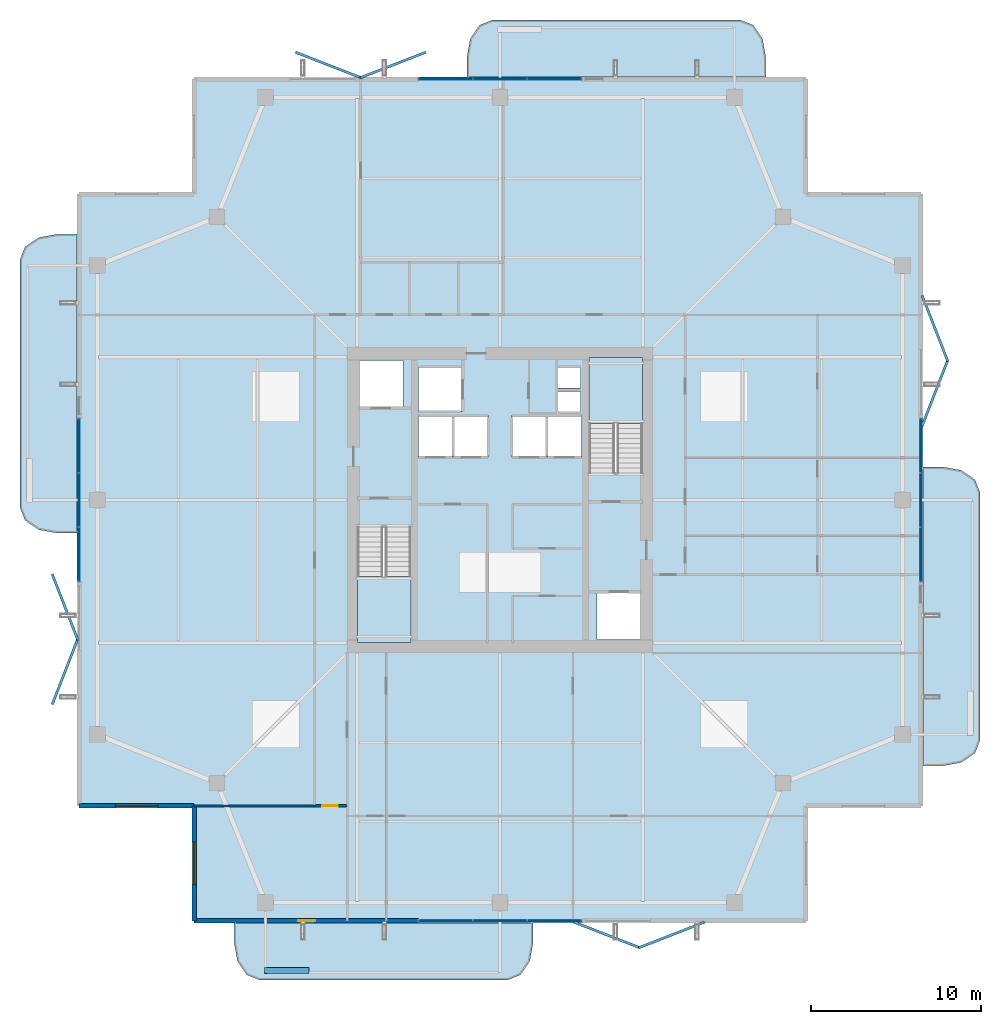
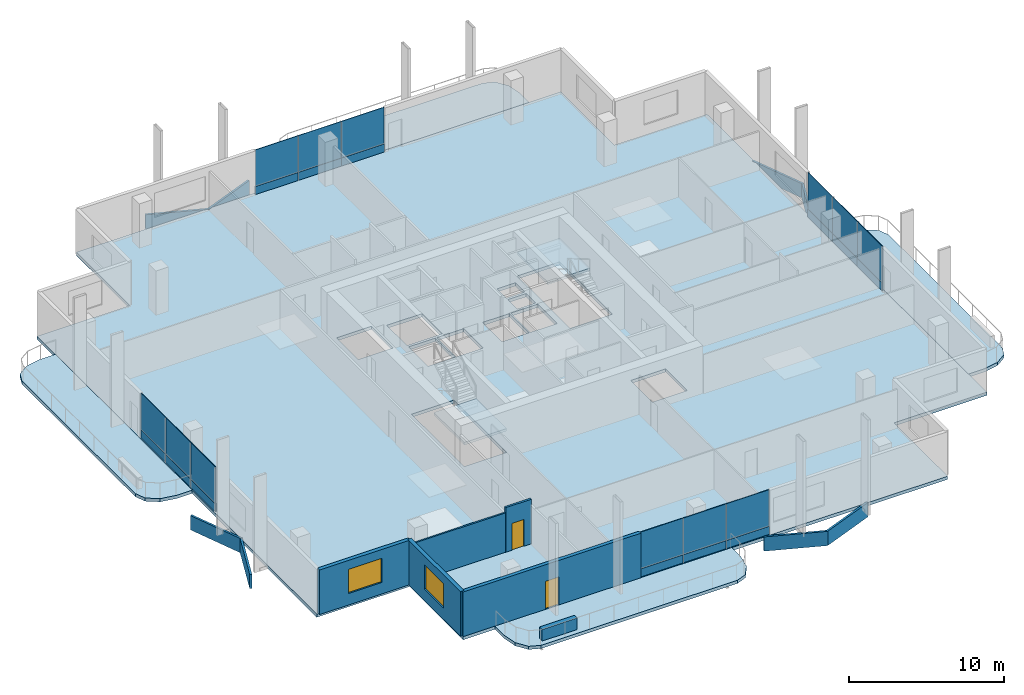
# One storey, part 17 of 25: 32 plates, 7 slabs, 6 walls, 2 doors, 2 windows, 4 openings, 6 elements without a shape of their own.
"""IFC4 building model written with IfcOpenShell, lengths in metres."""

from ifc_helpers import new_model, si_unit, direction, frame, frame_2d, origin, origin_2d, place, context, subcontext, project, spatial, polyline, rectangle, outline, extrude, material, layer, layer_set, type_object, element, fill, aggregate, save


model = new_model("IFC4")

# Units and contexts
model_context = context("Model", 3, precision=1e-05, world=origin(), true_north=direction((0.0, 1.0)))
body_context = subcontext(model_context, "Body", "Model", "MODEL_VIEW")
ifc_project = project(units=[si_unit("LENGTHUNIT", "METRE"), si_unit("AREAUNIT", "SQUARE_METRE"), si_unit("VOLUMEUNIT", "CUBIC_METRE"), si_unit("PLANEANGLEUNIT", "RADIAN"), si_unit("MASSUNIT", "GRAM", prefix="KILO")], contexts=[model_context])

# Site, building, storey
site_placement = place(None, origin())
site = spatial("IfcSite", under=ifc_project, at=site_placement, CompositionType="ELEMENT")
building_placement = place(site_placement, origin())
building = spatial("IfcBuilding", under=site, at=building_placement, Name="Belovzor Exchange Tower", CompositionType="ELEMENT")
storey_placement = place(building_placement, frame((0.0, 0.0, 265.35009765625)))
storey = spatial("IfcBuildingStorey", under=building, at=storey_placement, Name="L66", CompositionType="ELEMENT", Elevation=265.35009765625)

# Slab
ifc_material_1 = material(Name="Concrete C40/50", Category="concrete")
ifc_layer_1 = layer(ifc_material_1, 0.25)
ifc_layer_set_1 = layer_set([ifc_layer_1], Name="Concrete C40/50")
slab_type_1 = type_object("IfcSlabType", Name="Composite Concrete Floor Deck Slab 250", PredefinedType="FLOOR", material=ifc_layer_set_1)
slab_1_placement = place(storey_placement, frame((0.0, 0.0, -0.25)))
element("IfcSlab", 1, at=slab_1_placement, inside=storey, type_object=slab_type_1, Name="SL-F250 Structural Slab L66", PredefinedType="FLOOR", context=body_context, shape_type="SweptSolid", body=[
    extrude(outline(polyline([(10.800048828125, 3.89990234375), (46.800048828125, 3.89990234375), (46.800048828125, 10.800048828125), (53.699951171875, 10.800048828125), (53.699951171875, 46.800048828125), (46.800048828125, 46.800048828125), (46.800048828125, 53.699951171875), (10.800048828125, 53.699951171875), (10.800048828125, 46.800048828125), (3.89990234375, 46.800048828125), (3.89990234375, 10.800048828125), (10.800048828125, 10.800048828125), (10.800048828125, 3.89990234375)]), holes=[polyline([(20.39990234375, 27.175048828125), (20.39990234375, 20.39990234375), (23.550048828125, 20.39990234375), (23.550048828125, 27.175048828125), (20.39990234375, 27.175048828125)]), polyline([(37.199951171875, 30.425048828125), (37.199951171875, 37.199951171875), (34.050048828125, 37.199951171875), (34.050048828125, 30.425048828125), (37.199951171875, 30.425048828125)]), polyline([(20.5, 34.199951171875), (23.10009765625, 34.199951171875), (23.10009765625, 37.0), (20.5, 37.0), (20.5, 34.199951171875)]), polyline([(34.5, 20.60009765625), (37.10009765625, 20.60009765625), (37.10009765625, 23.39990234375), (34.5, 23.39990234375), (34.5, 20.60009765625)]), polyline([(24.0, 34.0), (26.60009765625, 34.0), (26.60009765625, 36.60009765625), (24.0, 36.60009765625), (24.0, 34.0)]), polyline([(24.0, 31.300048828125), (26.0, 31.300048828125), (26.0, 33.800048828125), (24.0, 33.800048828125), (24.0, 31.300048828125)]), polyline([(26.10009765625, 31.300048828125), (28.10009765625, 31.300048828125), (28.10009765625, 33.800048828125), (26.10009765625, 33.800048828125), (26.10009765625, 31.300048828125)]), polyline([(29.5, 31.300048828125), (31.5, 31.300048828125), (31.5, 33.800048828125), (29.5, 33.800048828125), (29.5, 31.300048828125)]), polyline([(31.60009765625, 31.300048828125), (33.60009765625, 31.300048828125), (33.60009765625, 33.800048828125), (31.60009765625, 33.800048828125), (31.60009765625, 31.300048828125)]), polyline([(32.199951171875, 34.0), (33.550048828125, 34.0), (33.550048828125, 35.199951171875), (32.199951171875, 35.199951171875), (32.199951171875, 34.0)]), polyline([(32.199951171875, 35.39990234375), (33.550048828125, 35.39990234375), (33.550048828125, 36.60009765625), (32.199951171875, 36.60009765625), (32.199951171875, 35.39990234375)])]), origin(), (0.0, 0.0, 1.0), 0.25),
])

# Curtain wall, plates
ifc_material_2 = material(Name="Anodised Aluminium Framing", Category="aluminium")
ifc_layer_2 = layer(ifc_material_2, 0.179931640625)
ifc_layer_set_2 = layer_set([ifc_layer_2], Name="Anodised Aluminium Framing")
curtain_wall_type = type_object("IfcCurtainWallType", Name="Recessed Loggia Low-Iron Triple-Glazed Curtain Wall", PredefinedType="NOTDEFINED", material=ifc_layer_set_2)
curtain_wall_1_placement = place(storey_placement, origin())
curtain_wall_1 = element("IfcCurtainWall", 2, at=curtain_wall_1_placement, inside=storey, type_object=curtain_wall_type, Name="CW3 Recessed Loggia Low-Iron Triple-Glazed Curtain Wall L66", PredefinedType="NOTDEFINED")
ifc_material_3 = material(Name="Solar-Control Triple Glazing", Category="glass")
ifc_layer_3 = layer(ifc_material_3, 0.0439453125)
ifc_layer_set_3 = layer_set([ifc_layer_3], Name="Solar-Control Triple Glazing")
plate_type_1 = type_object("IfcPlateType", Name="Insulated Solar Glazing Curtain Panel 44", PredefinedType="CURTAIN_PANEL", material=ifc_layer_set_3)
plate_1_placement = place(storey_placement, frame((32.0, 4.030029296875, 0.6318359375), z_axis=(0.0, 0.0, 1.0), x_axis=(-1.0, 0.0, 0.0)))
plate_1 = element("IfcPlate", 3, at=plate_1_placement, type_object=plate_type_1, Name="GLZ-44 Glazed Curtain Panel 1", PredefinedType="CURTAIN_PANEL", context=body_context, shape_type="SweptSolid", body=[
    extrude(rectangle(XDim=3.18408203125, YDim=0.0439453125, at=origin_2d()), origin(), (0.0, 0.0, 1.0), 2.867919921875),
])
plate_2_placement = place(storey_placement, frame((28.800048828125, 4.030029296875, 0.6318359375), z_axis=(0.0, 0.0, 1.0), x_axis=(-1.0, 0.0, 0.0)))
plate_2 = element("IfcPlate", 4, at=plate_2_placement, type_object=plate_type_1, Name="GLZ-44 Glazed Curtain Panel 2", PredefinedType="CURTAIN_PANEL", context=body_context, shape_type="SweptSolid", body=[
    extrude(rectangle(XDim=3.18408203125, YDim=0.0439453125, at=origin_2d()), origin(), (0.0, 0.0, 1.0), 2.867919921875),
])
plate_3_placement = place(storey_placement, frame((25.60009765625, 4.030029296875, 0.6318359375), z_axis=(0.0, 0.0, 1.0), x_axis=(-1.0, 0.0, 0.0)))
plate_3 = element("IfcPlate", 5, at=plate_3_placement, type_object=plate_type_1, Name="GLZ-44 Glazed Curtain Panel 3", PredefinedType="CURTAIN_PANEL", context=body_context, shape_type="SweptSolid", body=[
    extrude(rectangle(XDim=3.18408203125, YDim=0.0439453125, at=origin_2d()), origin(), (0.0, 0.0, 1.0), 2.867919921875),
])

curtain_wall_2_placement = place(storey_placement, origin())
curtain_wall_2 = element("IfcCurtainWall", 6, at=curtain_wall_2_placement, inside=storey, type_object=curtain_wall_type, Name="CW3 Recessed Loggia Low-Iron Triple-Glazed Curtain Wall L66", PredefinedType="NOTDEFINED")
plate_4_placement = place(storey_placement, frame((25.60009765625, 53.570068359375, 0.6318359375), z_axis=(0.0, 0.0, 1.0), x_axis=(1.0, 0.0, 0.0)))
plate_4 = element("IfcPlate", 7, at=plate_4_placement, type_object=plate_type_1, Name="GLZ-44 Glazed Curtain Panel 1", PredefinedType="CURTAIN_PANEL", context=body_context, shape_type="SweptSolid", body=[
    extrude(rectangle(XDim=3.18408203125, YDim=0.0439453125, at=origin_2d()), origin(), (0.0, 0.0, 1.0), 2.867919921875),
])
plate_5_placement = place(storey_placement, frame((28.800048828125, 53.570068359375, 0.6318359375), z_axis=(0.0, 0.0, 1.0), x_axis=(1.0, 0.0, 0.0)))
plate_5 = element("IfcPlate", 8, at=plate_5_placement, type_object=plate_type_1, Name="GLZ-44 Glazed Curtain Panel 2", PredefinedType="CURTAIN_PANEL", context=body_context, shape_type="SweptSolid", body=[
    extrude(rectangle(XDim=3.18408203125, YDim=0.0439453125, at=origin_2d()), origin(), (0.0, 0.0, 1.0), 2.867919921875),
])
plate_6_placement = place(storey_placement, frame((32.0, 53.570068359375, 0.6318359375), z_axis=(0.0, 0.0, 1.0), x_axis=(1.0, 0.0, 0.0)))
plate_6 = element("IfcPlate", 9, at=plate_6_placement, type_object=plate_type_1, Name="GLZ-44 Glazed Curtain Panel 3", PredefinedType="CURTAIN_PANEL", context=body_context, shape_type="SweptSolid", body=[
    extrude(rectangle(XDim=3.18408203125, YDim=0.0439453125, at=origin_2d()), origin(), (0.0, 0.0, 1.0), 2.867919921875),
])

curtain_wall_3_placement = place(storey_placement, origin())
curtain_wall_3 = element("IfcCurtainWall", 10, at=curtain_wall_3_placement, inside=storey, type_object=curtain_wall_type, Name="CW3 Recessed Loggia Low-Iron Triple-Glazed Curtain Wall L66", PredefinedType="NOTDEFINED")
plate_7_placement = place(storey_placement, frame((4.030029296875, 25.60009765625, 0.6318359375), z_axis=(0.0, 0.0, 1.0), x_axis=(0.0, 1.0, 0.0)))
plate_7 = element("IfcPlate", 11, at=plate_7_placement, type_object=plate_type_1, Name="GLZ-44 Glazed Curtain Panel 1", PredefinedType="CURTAIN_PANEL", context=body_context, shape_type="SweptSolid", body=[
    extrude(rectangle(XDim=3.18408203125, YDim=0.0439453125, at=origin_2d()), origin(), (0.0, 0.0, 1.0), 2.867919921875),
])
plate_8_placement = place(storey_placement, frame((4.030029296875, 28.800048828125, 0.6318359375), z_axis=(0.0, 0.0, 1.0), x_axis=(0.0, 1.0, 0.0)))
plate_8 = element("IfcPlate", 12, at=plate_8_placement, type_object=plate_type_1, Name="GLZ-44 Glazed Curtain Panel 2", PredefinedType="CURTAIN_PANEL", context=body_context, shape_type="SweptSolid", body=[
    extrude(rectangle(XDim=3.18408203125, YDim=0.0439453125, at=origin_2d()), origin(), (0.0, 0.0, 1.0), 2.867919921875),
])
plate_9_placement = place(storey_placement, frame((4.030029296875, 32.0, 0.6318359375), z_axis=(0.0, 0.0, 1.0), x_axis=(0.0, 1.0, 0.0)))
plate_9 = element("IfcPlate", 13, at=plate_9_placement, type_object=plate_type_1, Name="GLZ-44 Glazed Curtain Panel 3", PredefinedType="CURTAIN_PANEL", context=body_context, shape_type="SweptSolid", body=[
    extrude(rectangle(XDim=3.18408203125, YDim=0.0439453125, at=origin_2d()), origin(), (0.0, 0.0, 1.0), 2.867919921875),
])

curtain_wall_4_placement = place(storey_placement, origin())
curtain_wall_4 = element("IfcCurtainWall", 14, at=curtain_wall_4_placement, inside=storey, type_object=curtain_wall_type, Name="CW3 Recessed Loggia Low-Iron Triple-Glazed Curtain Wall L66", PredefinedType="NOTDEFINED")
plate_10_placement = place(storey_placement, frame((53.570068359375, 32.0, 0.6318359375), z_axis=(0.0, 0.0, 1.0), x_axis=(0.0, -1.0, 0.0)))
plate_10 = element("IfcPlate", 15, at=plate_10_placement, type_object=plate_type_1, Name="GLZ-44 Glazed Curtain Panel 1", PredefinedType="CURTAIN_PANEL", context=body_context, shape_type="SweptSolid", body=[
    extrude(rectangle(XDim=3.18408203125, YDim=0.0439453125, at=origin_2d()), origin(), (0.0, 0.0, 1.0), 2.867919921875),
])
plate_11_placement = place(storey_placement, frame((53.570068359375, 28.800048828125, 0.6318359375), z_axis=(0.0, 0.0, 1.0), x_axis=(0.0, -1.0, 0.0)))
plate_11 = element("IfcPlate", 16, at=plate_11_placement, type_object=plate_type_1, Name="GLZ-44 Glazed Curtain Panel 2", PredefinedType="CURTAIN_PANEL", context=body_context, shape_type="SweptSolid", body=[
    extrude(rectangle(XDim=3.18408203125, YDim=0.0439453125, at=origin_2d()), origin(), (0.0, 0.0, 1.0), 2.867919921875),
])
plate_12_placement = place(storey_placement, frame((53.570068359375, 25.60009765625, 0.6318359375), z_axis=(0.0, 0.0, 1.0), x_axis=(0.0, -1.0, 0.0)))
plate_12 = element("IfcPlate", 17, at=plate_12_placement, type_object=plate_type_1, Name="GLZ-44 Glazed Curtain Panel 3", PredefinedType="CURTAIN_PANEL", context=body_context, shape_type="SweptSolid", body=[
    extrude(rectangle(XDim=3.18408203125, YDim=0.0439453125, at=origin_2d()), origin(), (0.0, 0.0, 1.0), 2.867919921875),
])

# Stair, slab
ifc_material_4 = material(Name="Concrete C40/50", Category="concrete")
stair_type = type_object("IfcStairType", Name="Reinforced Concrete Dogleg Escape Stair 1350", PredefinedType="HALF_TURN_STAIR", material=ifc_material_4)
stair_1_placement = place(storey_placement, origin())
stair_1 = element("IfcStair", 18, at=stair_1_placement, inside=storey, type_object=stair_type, Name="L66 ST-1", PredefinedType="HALF_TURN_STAIR")
ifc_material_5 = material(Name="Concrete C40/50", Category="concrete")
ifc_layer_4 = layer(ifc_material_5, 0.199951171875)
ifc_layer_set_4 = layer_set([ifc_layer_4], Name="Concrete C40/50")
slab_type_2 = type_object("IfcSlabType", Name="Reinforced Concrete Stair Half-Landing Slab 200", PredefinedType="LANDING", material=ifc_layer_set_4)
slab_2_placement = place(storey_placement, frame((0.0, 0.0, 1.6748046875)))
slab_2 = element("IfcSlab", 19, at=slab_2_placement, type_object=slab_type_2, Name="ST-1 landing 1", PredefinedType="LANDING", context=body_context, shape_type="SweptSolid", body=[
    extrude(outline(polyline([(20.39990234375, 24.300048828125), (20.39990234375, 20.39990234375), (23.550048828125, 20.39990234375), (23.550048828125, 24.300048828125), (20.39990234375, 24.300048828125)])), origin(), (0.0, 0.0, 1.0), 0.2001953125),
])
aggregate(stair_1, [slab_2])

stair_2_placement = place(storey_placement, origin())
stair_2 = element("IfcStair", 20, at=stair_2_placement, inside=storey, type_object=stair_type, Name="L66 ST-2", PredefinedType="HALF_TURN_STAIR")
slab_3_placement = place(storey_placement, frame((0.0, 0.0, 1.6748046875)))
slab_3 = element("IfcSlab", 21, at=slab_3_placement, type_object=slab_type_2, Name="ST-2 landing 1", PredefinedType="LANDING", context=body_context, shape_type="SweptSolid", body=[
    extrude(outline(polyline([(37.199951171875, 33.300048828125), (37.199951171875, 37.199951171875), (34.050048828125, 37.199951171875), (34.050048828125, 33.300048828125), (37.199951171875, 33.300048828125)])), origin(), (0.0, 0.0, 1.0), 0.2001953125),
])
aggregate(stair_2, [slab_3])

# Plate
ifc_material_6 = material(Name="Extruded Architectural Terracotta", Category="masonry")
ifc_layer_5 = layer(ifc_material_6, 0.090087890625)
ifc_layer_set_5 = layer_set([ifc_layer_5], Name="Extruded Architectural Terracotta")
plate_type_2 = type_object("IfcPlateType", Name="Terracotta Shadow-Box Spandrel Panel 90", PredefinedType="CURTAIN_PANEL", material=ifc_layer_set_5)
plate_13_placement = place(storey_placement, frame((32.0, 4.030029296875, 0.0), z_axis=(0.0, 0.0, 1.0), x_axis=(-1.0, 0.0, 0.0)))
plate_13 = element("IfcPlate", 22, at=plate_13_placement, type_object=plate_type_2, Name="SPD-90 Spandrel Panel 1", PredefinedType="CURTAIN_PANEL", context=body_context, shape_type="SweptSolid", body=[
    extrude(rectangle(XDim=3.18408203125, YDim=0.090087890625, at=origin_2d()), origin(), (0.0, 0.0, 1.0), 0.6279296875),
])

plate_14_placement = place(storey_placement, frame((28.800048828125, 4.030029296875, 0.0), z_axis=(0.0, 0.0, 1.0), x_axis=(-1.0, 0.0, 0.0)))
plate_14 = element("IfcPlate", 23, at=plate_14_placement, type_object=plate_type_2, Name="SPD-90 Spandrel Panel 2", PredefinedType="CURTAIN_PANEL", context=body_context, shape_type="SweptSolid", body=[
    extrude(rectangle(XDim=3.18408203125, YDim=0.090087890625, at=origin_2d()), origin(), (0.0, 0.0, 1.0), 0.6279296875),
])

plate_15_placement = place(storey_placement, frame((25.60009765625, 4.030029296875, 0.0), z_axis=(0.0, 0.0, 1.0), x_axis=(-1.0, 0.0, 0.0)))
plate_15 = element("IfcPlate", 24, at=plate_15_placement, type_object=plate_type_2, Name="SPD-90 Spandrel Panel 3", PredefinedType="CURTAIN_PANEL", context=body_context, shape_type="SweptSolid", body=[
    extrude(rectangle(XDim=3.18408203125, YDim=0.090087890625, at=origin_2d()), origin(), (0.0, 0.0, 1.0), 0.6279296875),
])

aggregate(curtain_wall_1, [plate_13, plate_1, plate_14, plate_2, plate_15, plate_3])

plate_16_placement = place(storey_placement, frame((25.60009765625, 53.570068359375, 0.0), z_axis=(0.0, 0.0, 1.0), x_axis=(1.0, 0.0, 0.0)))
plate_16 = element("IfcPlate", 25, at=plate_16_placement, type_object=plate_type_2, Name="SPD-90 Spandrel Panel 1", PredefinedType="CURTAIN_PANEL", context=body_context, shape_type="SweptSolid", body=[
    extrude(rectangle(XDim=3.18408203125, YDim=0.090087890625, at=origin_2d()), origin(), (0.0, 0.0, 1.0), 0.6279296875),
])

plate_17_placement = place(storey_placement, frame((28.800048828125, 53.570068359375, 0.0), z_axis=(0.0, 0.0, 1.0), x_axis=(1.0, 0.0, 0.0)))
plate_17 = element("IfcPlate", 26, at=plate_17_placement, type_object=plate_type_2, Name="SPD-90 Spandrel Panel 2", PredefinedType="CURTAIN_PANEL", context=body_context, shape_type="SweptSolid", body=[
    extrude(rectangle(XDim=3.18408203125, YDim=0.090087890625, at=origin_2d()), origin(), (0.0, 0.0, 1.0), 0.6279296875),
])

plate_18_placement = place(storey_placement, frame((32.0, 53.570068359375, 0.0), z_axis=(0.0, 0.0, 1.0), x_axis=(1.0, 0.0, 0.0)))
plate_18 = element("IfcPlate", 27, at=plate_18_placement, type_object=plate_type_2, Name="SPD-90 Spandrel Panel 3", PredefinedType="CURTAIN_PANEL", context=body_context, shape_type="SweptSolid", body=[
    extrude(rectangle(XDim=3.18408203125, YDim=0.090087890625, at=origin_2d()), origin(), (0.0, 0.0, 1.0), 0.6279296875),
])

aggregate(curtain_wall_2, [plate_16, plate_4, plate_17, plate_5, plate_18, plate_6])

plate_19_placement = place(storey_placement, frame((4.030029296875, 25.60009765625, 0.0), z_axis=(0.0, 0.0, 1.0), x_axis=(0.0, 1.0, 0.0)))
plate_19 = element("IfcPlate", 28, at=plate_19_placement, type_object=plate_type_2, Name="SPD-90 Spandrel Panel 1", PredefinedType="CURTAIN_PANEL", context=body_context, shape_type="SweptSolid", body=[
    extrude(rectangle(XDim=3.18408203125, YDim=0.090087890625, at=origin_2d()), origin(), (0.0, 0.0, 1.0), 0.6279296875),
])

plate_20_placement = place(storey_placement, frame((4.030029296875, 28.800048828125, 0.0), z_axis=(0.0, 0.0, 1.0), x_axis=(0.0, 1.0, 0.0)))
plate_20 = element("IfcPlate", 29, at=plate_20_placement, type_object=plate_type_2, Name="SPD-90 Spandrel Panel 2", PredefinedType="CURTAIN_PANEL", context=body_context, shape_type="SweptSolid", body=[
    extrude(rectangle(XDim=3.18408203125, YDim=0.090087890625, at=origin_2d()), origin(), (0.0, 0.0, 1.0), 0.6279296875),
])

plate_21_placement = place(storey_placement, frame((4.030029296875, 32.0, 0.0), z_axis=(0.0, 0.0, 1.0), x_axis=(0.0, 1.0, 0.0)))
plate_21 = element("IfcPlate", 30, at=plate_21_placement, type_object=plate_type_2, Name="SPD-90 Spandrel Panel 3", PredefinedType="CURTAIN_PANEL", context=body_context, shape_type="SweptSolid", body=[
    extrude(rectangle(XDim=3.18408203125, YDim=0.090087890625, at=origin_2d()), origin(), (0.0, 0.0, 1.0), 0.6279296875),
])

aggregate(curtain_wall_3, [plate_19, plate_7, plate_20, plate_8, plate_21, plate_9])

plate_22_placement = place(storey_placement, frame((53.570068359375, 32.0, 0.0), z_axis=(0.0, 0.0, 1.0), x_axis=(0.0, -1.0, 0.0)))
plate_22 = element("IfcPlate", 31, at=plate_22_placement, type_object=plate_type_2, Name="SPD-90 Spandrel Panel 1", PredefinedType="CURTAIN_PANEL", context=body_context, shape_type="SweptSolid", body=[
    extrude(rectangle(XDim=3.18408203125, YDim=0.090087890625, at=origin_2d()), origin(), (0.0, 0.0, 1.0), 0.6279296875),
])

plate_23_placement = place(storey_placement, frame((53.570068359375, 28.800048828125, 0.0), z_axis=(0.0, 0.0, 1.0), x_axis=(0.0, -1.0, 0.0)))
plate_23 = element("IfcPlate", 32, at=plate_23_placement, type_object=plate_type_2, Name="SPD-90 Spandrel Panel 2", PredefinedType="CURTAIN_PANEL", context=body_context, shape_type="SweptSolid", body=[
    extrude(rectangle(XDim=3.18408203125, YDim=0.090087890625, at=origin_2d()), origin(), (0.0, 0.0, 1.0), 0.6279296875),
])

plate_24_placement = place(storey_placement, frame((53.570068359375, 25.60009765625, 0.0), z_axis=(0.0, 0.0, 1.0), x_axis=(0.0, -1.0, 0.0)))
plate_24 = element("IfcPlate", 33, at=plate_24_placement, type_object=plate_type_2, Name="SPD-90 Spandrel Panel 3", PredefinedType="CURTAIN_PANEL", context=body_context, shape_type="SweptSolid", body=[
    extrude(rectangle(XDim=3.18408203125, YDim=0.090087890625, at=origin_2d()), origin(), (0.0, 0.0, 1.0), 0.6279296875),
])

aggregate(curtain_wall_4, [plate_22, plate_10, plate_23, plate_11, plate_24, plate_12])

# Slabs
ifc_material_7 = material(Name="Concrete C40/50", Category="concrete")
ifc_layer_6 = layer(ifc_material_7, 0.25)
ifc_layer_set_6 = layer_set([ifc_layer_6], Name="Concrete C40/50")
slab_type_3 = type_object("IfcSlabType", Name="Thermally Broken Planted Balcony Slab 250", PredefinedType="FLOOR", material=ifc_layer_set_6)
slab_4_placement = place(storey_placement, frame((0.0, 0.0, -0.25)))
element("IfcSlab", 34, at=slab_4_placement, inside=storey, type_object=slab_type_3, Name="SL-BAL220 Planted Balcony Loggia L66 South", PredefinedType="FLOOR", context=body_context, shape_type="SweptSolid", body=[
    extrude(outline(polyline([(13.14990234375, 3.9150390625), (13.14990234375, 2.75), (13.35107421875, 1.64990234375), (13.89990234375, 0.844970703125), (14.64990234375, 0.550048828125), (29.25, 0.550048828125), (30.0, 0.844970703125), (30.549072265625, 1.64990234375), (30.75, 2.75), (30.75, 3.9150390625), (13.14990234375, 3.9150390625)])), origin(), (0.0, 0.0, 1.0), 0.25),
])
slab_5_placement = place(storey_placement, frame((0.0, 0.0, -0.25)))
element("IfcSlab", 35, at=slab_5_placement, inside=storey, type_object=slab_type_3, Name="SL-BAL220 Planted Balcony Loggia L66 North", PredefinedType="FLOOR", context=body_context, shape_type="SweptSolid", body=[
    extrude(outline(polyline([(44.449951171875, 53.68505859375), (44.449951171875, 54.85009765625), (44.2490234375, 55.949951171875), (43.699951171875, 56.7548828125), (42.949951171875, 57.050048828125), (28.35009765625, 57.050048828125), (27.60009765625, 56.7548828125), (27.051025390625, 55.949951171875), (26.85009765625, 54.85009765625), (26.85009765625, 53.68505859375), (44.449951171875, 53.68505859375)])), origin(), (0.0, 0.0, 1.0), 0.25),
])
slab_6_placement = place(storey_placement, frame((0.0, 0.0, -0.25)))
element("IfcSlab", 36, at=slab_6_placement, inside=storey, type_object=slab_type_3, Name="SL-BAL220 Planted Balcony Loggia L66 East", PredefinedType="FLOOR", context=body_context, shape_type="SweptSolid", body=[
    extrude(outline(polyline([(53.68505859375, 13.14990234375), (54.85009765625, 13.14990234375), (55.949951171875, 13.35107421875), (56.7548828125, 13.89990234375), (57.050048828125, 14.64990234375), (57.050048828125, 29.25), (56.7548828125, 30.0), (55.949951171875, 30.549072265625), (54.85009765625, 30.75), (53.68505859375, 30.75), (53.68505859375, 13.14990234375)])), origin(), (0.0, 0.0, 1.0), 0.25),
])
slab_7_placement = place(storey_placement, frame((0.0, 0.0, -0.25)))
element("IfcSlab", 37, at=slab_7_placement, inside=storey, type_object=slab_type_3, Name="SL-BAL220 Planted Balcony Loggia L66 West", PredefinedType="FLOOR", context=body_context, shape_type="SweptSolid", body=[
    extrude(outline(polyline([(3.9150390625, 44.449951171875), (2.75, 44.449951171875), (1.64990234375, 44.2490234375), (0.844970703125, 43.699951171875), (0.550048828125, 42.949951171875), (0.550048828125, 28.35009765625), (0.844970703125, 27.60009765625), (1.64990234375, 27.051025390625), (2.75, 26.85009765625), (3.9150390625, 26.85009765625), (3.9150390625, 44.449951171875)])), origin(), (0.0, 0.0, 1.0), 0.25),
])

# Plates
ifc_material_8 = material(Name="Extruded Architectural Terracotta", Category="masonry")
ifc_layer_7 = layer(ifc_material_8, 0.14990234375)
ifc_layer_set_7 = layer_set([ifc_layer_7], Name="Extruded Architectural Terracotta")
plate_type_3 = type_object("IfcPlateType", Name="Upper-Crown Deep Folded Zigzag Terracotta Spandrel Louvre 150", PredefinedType="USERDEFINED", material=ifc_layer_set_7)
for number, where, z_axis, x_axis, name in (
    (38, (18.699951171875, 54.39990234375, -1.105224609375), (0.0, 0.0, 1.0), (0.931817969421, -0.362925986758, 0.0), "LVR-ZZ3 Zigzag Terracotta Spandrel Louvre L66 N1A"),
    (39, (22.5, 54.39990234375, -1.105224609375), (0.0, 0.0, 1.0), (0.931817969421, 0.362925986758, 0.0), "LVR-ZZ3 Zigzag Terracotta Spandrel Louvre L66 N1B"),
    (40, (3.199951171875, 18.699951171875, -1.105224609375), (0.0, 0.0, 1.0), (0.362925986758, 0.931817969421, 0.0), "LVR-ZZ3 Zigzag Terracotta Spandrel Louvre L66 W1A"),
    (41, (3.199951171875, 22.5, -1.105224609375), (0.0, 0.0, 1.0), (-0.362925986758, 0.931817969421, 0.0), "LVR-ZZ3 Zigzag Terracotta Spandrel Louvre L66 W1B"),
    (42, (35.10009765625, 3.199951171875, -1.105224609375), (0.0, 0.0, 1.0), (0.931817969421, -0.362925986758, 0.0), "LVR-ZZ3 Zigzag Terracotta Spandrel Louvre L66 S2A"),
    (43, (38.89990234375, 3.199951171875, -1.105224609375), (0.0, 0.0, 1.0), (0.931817969421, 0.362925986758, 0.0), "LVR-ZZ3 Zigzag Terracotta Spandrel Louvre L66 S2B"),
    (44, (54.39990234375, 35.10009765625, -1.105224609375), (0.0, 0.0, 1.0), (0.362925986758, 0.931817969421, 0.0), "LVR-ZZ3 Zigzag Terracotta Spandrel Louvre L66 E2A"),
    (45, (54.39990234375, 38.89990234375, -1.105224609375), (0.0, 0.0, 1.0), (-0.362925986758, 0.931817969421, 0.0), "LVR-ZZ3 Zigzag Terracotta Spandrel Louvre L66 E2B"),
):
    element("IfcPlate", number, at=place(storey_placement, frame(where, z_axis=z_axis, x_axis=x_axis)), inside=storey, type_object=plate_type_3, Name=name, ObjectType="SPANDREL_LOUVRE", PredefinedType="USERDEFINED", context=body_context, shape_type="SweptSolid", body=[
        extrude(rectangle(XDim=4.157958984375, YDim=0.14990234375, at=origin_2d()), origin(), (0.0, 0.0, 1.0), 1.1201171875),
    ])

# Wall
ifc_material_9 = material(Name="Acoustic Plasterboard on Galvanised Studs", Category="gypsum")
ifc_layer_8 = layer(ifc_material_9, 0.1201171875)
ifc_layer_set_8 = layer_set([ifc_layer_8], Name="Acoustic Plasterboard on Galvanised Studs")
wall_type_1 = type_object("IfcWallType", Name="Acoustic Double-Stud Partition Wall 120", PredefinedType="PARTITIONING", material=ifc_layer_set_8)
wall_1_placement = place(storey_placement, frame((10.800048828125, 10.800048828125, 0.0), z_axis=(0.0, 0.0, 1.0), x_axis=(1.0, 0.0, 0.0)))
element("IfcWall", 46, at=wall_1_placement, inside=storey, type_object=wall_type_1, Name="W-P120 Partition Wall W-L66-SWS", PredefinedType="PARTITIONING", context=body_context, shape_type="SweptSolid", body=[
    extrude(rectangle(XDim=7.099853515625, YDim=0.1201171875, at=frame_2d((3.5498046875, 0.0))), origin(), (0.0, 0.0, 1.0), 3.0849609375),
])

# Wall, opening, door
ifc_material_10 = material(Name="Fire-Rated Gypsum Block and Mineral Wool", Category="gypsum")
ifc_layer_9 = layer(ifc_material_10, 0.14990234375)
ifc_layer_set_9 = layer_set([ifc_layer_9], Name="Fire-Rated Gypsum Block and Mineral Wool")
wall_type_2 = type_object("IfcWallType", Name="Fire-Rated Gypsum Block Corridor Wall 150", PredefinedType="PARTITIONING", material=ifc_layer_set_9)
wall_2_placement = place(storey_placement, frame((17.89990234375, 10.800048828125, 0.0), z_axis=(0.0, 0.0, 1.0), x_axis=(1.0, 0.0, 0.0)))
wall_2 = element("IfcWall", 47, at=wall_2_placement, inside=storey, type_object=wall_type_2, Name="W-P150 Partition Wall W-L66-CW-END", PredefinedType="PARTITIONING", context=body_context, shape_type="SweptSolid", body=[
    extrude(rectangle(XDim=1.900146484375, YDim=0.14990234375, at=frame_2d((0.9501953125, 0.0))), origin(), (0.0, 0.0, 1.0), 3.5),
])
opening_1_placement = place(wall_2_placement, frame((0.449951171875, 0.0, 0.0)))
opening_1 = element("IfcOpeningElement", 48, at=opening_1_placement, cuts=wall_2, Name="Opening D-FD60-090", PredefinedType="OPENING", context=body_context, shape_type="SweptSolid", body=[
    extrude(rectangle(XDim=0.89990234375, YDim=2.10009765625, at=frame_2d((0.449951171875, 1.050048828125))), frame((0.0, 0.0849609375, 0.0), z_axis=(0.0, -1.0, 0.0), x_axis=(1.0, 0.0, 0.0)), (0.0, 0.0, 1.0), 0.169921875),
])
ifc_material_11 = material(Name="Acoustic Timber Fire Leaf", Category="wood")
door_type_1 = type_object("IfcDoorType", Name="Core Service & Restroom Fire Door 900x2100", OperationType="NOTDEFINED", PredefinedType="DOOR", material=ifc_material_11)
door_1_placement = place(opening_1_placement, origin())
door_1 = element("IfcDoor", 49, at=door_1_placement, inside=storey, type_object=door_type_1, Name="D-FD60-090 Core Service & Restroom Fire Door 900x2100", OperationType="SINGLE_SWING_LEFT", OverallHeight=2.10009765625, OverallWidth=0.89990234375, PredefinedType="DOOR", context=body_context, shape_type="SweptSolid", body=[
    extrude(rectangle(XDim=0.89990234375, YDim=2.10009765625, at=frame_2d((0.449951171875, 1.050048828125))), frame((0.0, 0.02490234375, 0.0), z_axis=(0.0, -1.0, 0.0), x_axis=(1.0, 0.0, 0.0)), (0.0, 0.0, 1.0), 0.050048828125),
])
fill(opening_1, door_1)

# Wall, opening, window
ifc_material_12 = material(Name="Precast concrete C40/50", Category="concrete")
ifc_layer_10 = layer(ifc_material_12, 0.280029296875)
ifc_layer_set_10 = layer_set([ifc_layer_10], Name="Precast concrete C40/50")
wall_type_3 = type_object("IfcWallType", Name="Precast Concrete Notched Corner Frame Wall 280", PredefinedType="SOLIDWALL", material=ifc_layer_set_10)
wall_3_placement = place(storey_placement, frame((10.800048828125, 4.030029296875, 0.0), z_axis=(0.0, 0.0, 1.0), x_axis=(0.0, 1.0, 0.0)))
wall_3 = element("IfcWall", 50, at=wall_3_placement, inside=storey, type_object=wall_type_3, Name="W-CRN280 Precast Concrete Notched Corner Frame Wall 280 L66", PredefinedType="SOLIDWALL", context=body_context, shape_type="SweptSolid", body=[
    extrude(rectangle(XDim=6.77001953125, YDim=0.280029296875, at=frame_2d((3.385009765625, 0.0))), origin(), (0.0, 0.0, 1.0), 3.5),
])
opening_2_placement = place(wall_3_placement, frame((2.135009765625, 0.0, 0.89990234375)))
opening_2 = element("IfcOpeningElement", 51, at=opening_2_placement, cuts=wall_3, Name="Opening WN-CRN250", PredefinedType="OPENING", context=body_context, shape_type="SweptSolid", body=[
    extrude(rectangle(XDim=2.5, YDim=1.89990234375, at=frame_2d((1.25, 0.949951171875))), frame((0.0, 0.14990234375, 0.0), z_axis=(0.0, -1.0, 0.0), x_axis=(1.0, 0.0, 0.0)), (0.0, 0.0, 1.0), 0.300048828125),
])
ifc_material_13 = material(Name="Thermally Broken Aluminium and Triple Glazing", Category="aluminium")
window_type = type_object("IfcWindowType", Name="Streamline Moderne Corner Wrap Ribbon Window 2500x1900", PartitioningType="SINGLE_PANEL", PredefinedType="WINDOW", material=ifc_material_13)
window_1_placement = place(opening_2_placement, origin())
window_1 = element("IfcWindow", 52, at=window_1_placement, inside=storey, type_object=window_type, Name="WN-CRN250 Streamline Moderne Corner Wrap Ribbon Window 2500x1900", OverallHeight=1.89990234375, OverallWidth=2.5, PartitioningType="SINGLE_PANEL", PredefinedType="WINDOW", context=body_context, shape_type="SweptSolid", body=[
    extrude(rectangle(XDim=2.5, YDim=1.89990234375, at=frame_2d((1.25, 0.949951171875))), frame((0.0, 0.030029296875, 0.0), z_axis=(0.0, -1.0, 0.0), x_axis=(1.0, 0.0, 0.0)), (0.0, 0.0, 1.0), 0.06005859375),
])
fill(opening_2, window_1)

wall_4_placement = place(storey_placement, frame((10.800048828125, 10.800048828125, 0.0), z_axis=(0.0, 0.0, 1.0), x_axis=(-1.0, 0.0, 0.0)))
wall_4 = element("IfcWall", 53, at=wall_4_placement, inside=storey, type_object=wall_type_3, Name="W-CRN280 Precast Concrete Notched Corner Frame Wall 280 L66", PredefinedType="SOLIDWALL", context=body_context, shape_type="SweptSolid", body=[
    extrude(rectangle(XDim=6.77001953125, YDim=0.280029296875, at=frame_2d((3.385009765625, 0.0))), origin(), (0.0, 0.0, 1.0), 3.5),
])
opening_3_placement = place(wall_4_placement, frame((2.135009765625, 0.0, 0.89990234375)))
opening_3 = element("IfcOpeningElement", 54, at=opening_3_placement, cuts=wall_4, Name="Opening WN-CRN250", PredefinedType="OPENING", context=body_context, shape_type="SweptSolid", body=[
    extrude(rectangle(XDim=2.5, YDim=1.89990234375, at=frame_2d((1.25, 0.949951171875))), frame((0.0, 0.14990234375, 0.0), z_axis=(0.0, -1.0, 0.0), x_axis=(1.0, 0.0, 0.0)), (0.0, 0.0, 1.0), 0.300048828125),
])
window_2_placement = place(opening_3_placement, origin())
window_2 = element("IfcWindow", 55, at=window_2_placement, inside=storey, type_object=window_type, Name="WN-CRN250 Streamline Moderne Corner Wrap Ribbon Window 2500x1900", OverallHeight=1.89990234375, OverallWidth=2.5, PartitioningType="SINGLE_PANEL", PredefinedType="WINDOW", context=body_context, shape_type="SweptSolid", body=[
    extrude(rectangle(XDim=2.5, YDim=1.89990234375, at=frame_2d((1.25, 0.949951171875))), frame((0.0, 0.030029296875, 0.0), z_axis=(0.0, -1.0, 0.0), x_axis=(1.0, 0.0, 0.0)), (0.0, 0.0, 1.0), 0.06005859375),
])
fill(opening_3, window_2)

# Wall, opening, door
ifc_material_14 = material(Name="Precast concrete C40/50", Category="concrete")
ifc_layer_11 = layer(ifc_material_14, 0.260009765625)
ifc_layer_set_11 = layer_set([ifc_layer_11], Name="Precast concrete C40/50")
wall_type_4 = type_object("IfcWallType", Name="Precast Concrete Perimeter Loggia Frame Wall 260", PredefinedType="SOLIDWALL", material=ifc_layer_set_11)
wall_5_placement = place(storey_placement, frame((24.0, 4.030029296875, 0.0), z_axis=(0.0, 0.0, 1.0), x_axis=(-1.0, 0.0, 0.0)))
wall_5 = element("IfcWall", 56, at=wall_5_placement, inside=storey, type_object=wall_type_4, Name="W-EXT260 Precast Concrete Perimeter Loggia Frame Wall 260 L66", PredefinedType="SOLIDWALL", context=body_context, shape_type="SweptSolid", body=[
    extrude(rectangle(XDim=13.199951171875, YDim=0.260009765625, at=frame_2d((6.60009765625, 0.0))), origin(), (0.0, 0.0, 1.0), 3.5),
])
opening_4_placement = place(wall_5_placement, frame((6.0830078125, 0.0, 0.0)))
opening_4 = element("IfcOpeningElement", 57, at=opening_4_placement, cuts=wall_5, Name="Opening D-BAL100", PredefinedType="OPENING", context=body_context, shape_type="SweptSolid", body=[
    extrude(rectangle(XDim=1.0, YDim=2.199951171875, at=frame_2d((0.5, 1.10009765625))), frame((0.0, 0.139892578125, 0.0), z_axis=(0.0, -1.0, 0.0), x_axis=(1.0, 0.0, 0.0)), (0.0, 0.0, 1.0), 0.280029296875),
])
ifc_material_15 = material(Name="Thermally Broken Anodised Aluminium and Laminated Glass", Category="aluminium")
door_type_2 = type_object("IfcDoorType", Name="Planted Loggia Terrace Glazed Door 1000x2200", OperationType="SINGLE_SWING_LEFT", PredefinedType="DOOR", material=ifc_material_15)
door_2_placement = place(opening_4_placement, origin())
door_2 = element("IfcDoor", 58, at=door_2_placement, inside=storey, type_object=door_type_2, Name="D-BAL100 Balcony Terrace Door L66 S", OperationType="SINGLE_SWING_LEFT", OverallHeight=2.199951171875, OverallWidth=1.0, PredefinedType="DOOR", context=body_context, shape_type="SweptSolid", body=[
    extrude(rectangle(XDim=1.0, YDim=2.199951171875, at=frame_2d((0.5, 1.10009765625))), frame((0.0, 0.02490234375, 0.0), z_axis=(0.0, -1.0, 0.0), x_axis=(1.0, 0.0, 0.0)), (0.0, 0.0, 1.0), 0.050048828125),
])
fill(opening_4, door_2)

# Wall
ifc_material_16 = material(Name="Precast concrete C40/50", Category="concrete")
ifc_layer_12 = layer(ifc_material_16, 0.35009765625)
ifc_layer_set_12 = layer_set([ifc_layer_12], Name="Precast concrete C40/50")
wall_type_5 = type_object("IfcWallType", Name="Precast Concrete Structural Tree Planter Trough 350", PredefinedType="PARAPET", material=ifc_layer_set_12)
wall_6_placement = place(storey_placement, frame((14.949951171875, 1.10009765625, 0.0), z_axis=(0.0, 0.0, 1.0), x_axis=(1.0, 0.0, 0.0)))
element("IfcWall", 59, at=wall_6_placement, inside=storey, type_object=wall_type_5, Name="PT-350 Precast Concrete Structural Tree Planter Trough 350 L66", PredefinedType="PARAPET", context=body_context, shape_type="SweptSolid", body=[
    extrude(rectangle(XDim=2.60009765625, YDim=0.35009765625, at=frame_2d((1.300048828125, 0.0))), origin(), (0.0, 0.0, 1.0), 0.89990234375),
])

save(model, "model.ifc")
